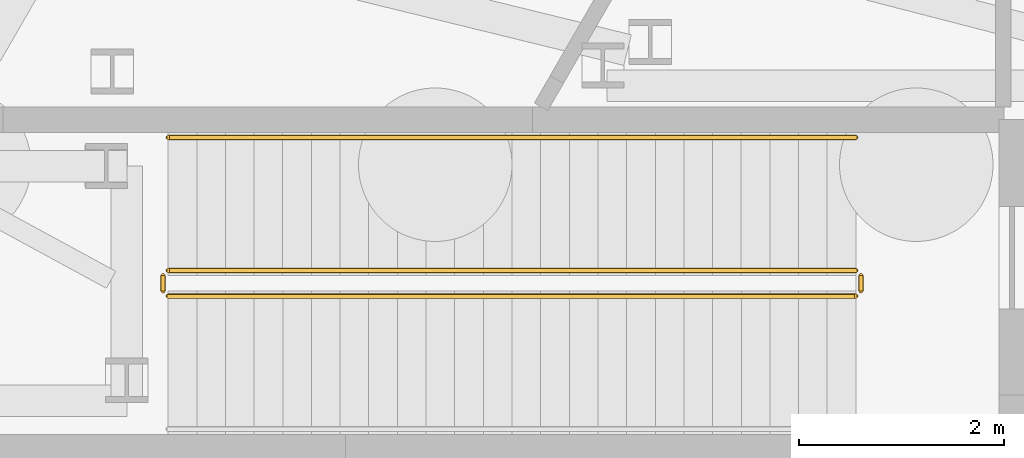
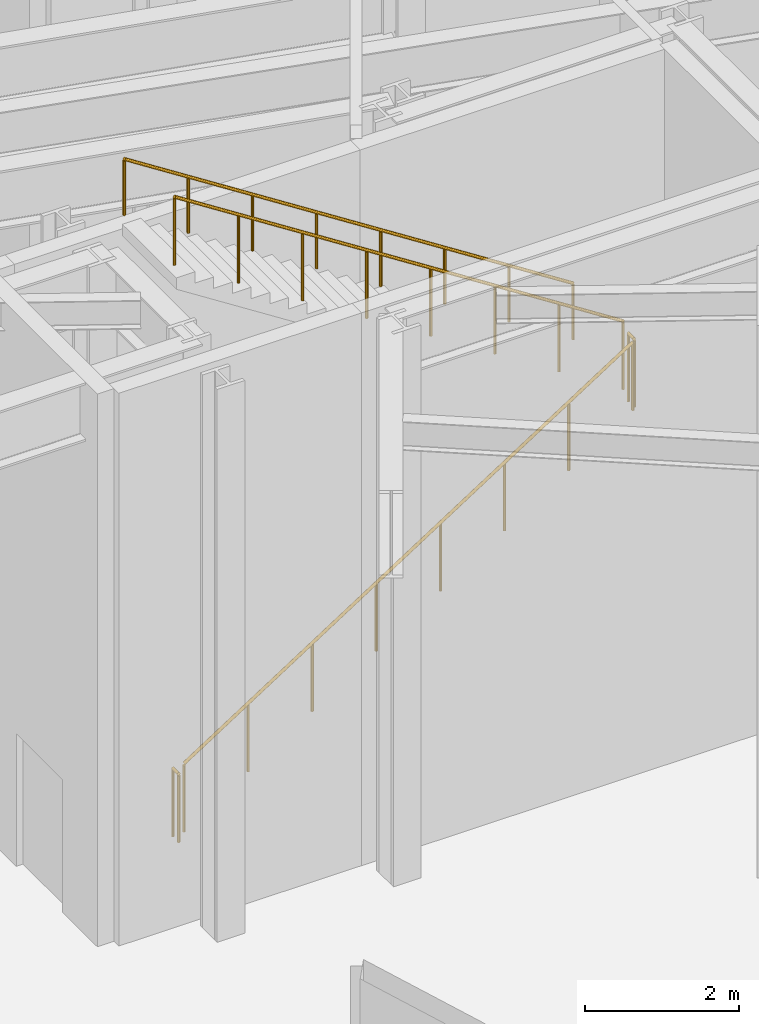
# One storey, part 33 of 43: 5 railings.
"""IFC4 building model written with IfcOpenShell, lengths in metres."""

from ifc_helpers import new_model, si_unit, direction, frame, origin, origin_2d, place, context, subcontext, project, spatial, circle, extrude, material, type_object, element, save


model = new_model("IFC4")

# Units and contexts
model_context = context("Model", 3, precision=1e-05, world=origin(), true_north=direction((0.0, 1.0)))
body_context = subcontext(model_context, "Body", "Model", "MODEL_VIEW")
ifc_project = project(units=[si_unit("LENGTHUNIT", "METRE"), si_unit("AREAUNIT", "SQUARE_METRE"), si_unit("VOLUMEUNIT", "CUBIC_METRE"), si_unit("PLANEANGLEUNIT", "RADIAN"), si_unit("MASSUNIT", "GRAM", prefix="KILO")], contexts=[model_context])

# Site, building, storey
site_placement = place(None, origin())
site = spatial("IfcSite", under=ifc_project, at=site_placement, CompositionType="ELEMENT")
building_placement = place(site_placement, origin())
building = spatial("IfcBuilding", under=site, at=building_placement, Name="Tarnside Tower", CompositionType="ELEMENT")
storey_placement = place(building_placement, origin())
storey = spatial("IfcBuildingStorey", under=building, at=storey_placement, Name="L00", CompositionType="ELEMENT", Elevation=0.0)

# Railings
ifc_material = material(Name="Stainless steel", Category="steel")
railing_type_1 = type_object("IfcRailingType", Name="Podium stair guard 1100", PredefinedType="GUARDRAIL", material=ifc_material)
railing_1_placement = place(storey_placement, frame((18.5400390625, -9.425048828125, 0.179931640625)))
element("IfcRailing", 1, at=railing_1_placement, inside=storey, type_object=railing_type_1, Name="L00 PS5 stair guard 1", PredefinedType="GUARDRAIL", context=body_context, shape_type="SweptSolid", body=[
    extrude(circle(Radius=0.02392578125, at=origin_2d()), frame((0.0, 0.0, 1.076171875), z_axis=(0.841173510664, 0.0, 0.540765314122), x_axis=(0.0, 1.0, 0.0)), (0.0, 0.0, 1.0), 7.98876953125),
    extrude(circle(Radius=0.02099609375, at=origin_2d()), origin(), (0.0, 0.0, 1.0), 1.052001953125),
    extrude(circle(Radius=0.02099609375, at=origin_2d()), frame((0.9599609375, 0.0, 0.6171875)), (0.0, 0.0, 1.0), 1.052001953125),
    extrude(circle(Radius=0.02099609375, at=origin_2d()), frame((1.919921875, 0.0, 1.234375)), (0.0, 0.0, 1.0), 1.052001953125),
    extrude(circle(Radius=0.02099609375, at=origin_2d()), frame((2.8798828125, 0.0, 1.8515625)), (0.0, 0.0, 1.0), 1.052001953125),
    extrude(circle(Radius=0.02099609375, at=origin_2d()), frame((3.840087890625, 0.0, 2.468505859375)), (0.0, 0.0, 1.0), 1.052001953125),
    extrude(circle(Radius=0.02099609375, at=origin_2d()), frame((4.800048828125, 0.0, 3.085693359375)), (0.0, 0.0, 1.0), 1.052001953125),
    extrude(circle(Radius=0.02099609375, at=origin_2d()), frame((5.760009765625, 0.0, 3.702880859375)), (0.0, 0.0, 1.0), 1.052001953125),
    extrude(circle(Radius=0.02099609375, at=origin_2d()), frame((6.719970703125, 0.0, 4.320068359375)), (0.0, 0.0, 1.0), 1.052001953125),
])
railing_2_placement = place(storey_placement, frame((25.31005859375, -9.375, 4.5)))
element("IfcRailing", 2, at=railing_2_placement, inside=storey, type_object=railing_type_1, Name="L00 PS5 stair guard 2", PredefinedType="GUARDRAIL", context=body_context, shape_type="SweptSolid", body=[
    extrude(circle(Radius=0.02392578125, at=origin_2d()), frame((0.0, 0.0, 1.076171875), z_axis=(0.0, 1.0, 0.0), x_axis=(-1.0, 0.0, 0.0)), (0.0, 0.0, 1.0), 0.14990234375),
    extrude(circle(Radius=0.02099609375, at=origin_2d()), origin(), (0.0, 0.0, 1.0), 1.052001953125),
    extrude(circle(Radius=0.02099609375, at=origin_2d()), frame((0.0, 0.14990234375, 0.0)), (0.0, 0.0, 1.0), 1.052001953125),
])
railing_3_placement = place(storey_placement, frame((25.260009765625, -9.175048828125, 4.679931640625)))
element("IfcRailing", 3, at=railing_3_placement, inside=storey, type_object=railing_type_1, Name="L00 PS5 stair guard 3", PredefinedType="GUARDRAIL", context=body_context, shape_type="SweptSolid", body=[
    extrude(circle(Radius=0.02392578125, at=origin_2d()), frame((0.0, 0.0, 1.076171875), z_axis=(-0.841173510664, 0.0, 0.540765314122), x_axis=(0.0, -1.0, 0.0)), (0.0, 0.0, 1.0), 7.98876953125),
    extrude(circle(Radius=0.02099609375, at=origin_2d()), origin(), (0.0, 0.0, 1.0), 1.052001953125),
    extrude(circle(Radius=0.02099609375, at=origin_2d()), frame((-0.9599609375, 0.0, 0.6171875)), (0.0, 0.0, 1.0), 1.052001953125),
    extrude(circle(Radius=0.02099609375, at=origin_2d()), frame((-1.919921875, 0.0, 1.234375)), (0.0, 0.0, 1.0), 1.052001953125),
    extrude(circle(Radius=0.02099609375, at=origin_2d()), frame((-2.8798828125, 0.0, 1.8515625)), (0.0, 0.0, 1.0), 1.052001953125),
    extrude(circle(Radius=0.02099609375, at=origin_2d()), frame((-3.840087890625, 0.0, 2.468505859375)), (0.0, 0.0, 1.0), 1.052001953125),
    extrude(circle(Radius=0.02099609375, at=origin_2d()), frame((-4.800048828125, 0.0, 3.085693359375)), (0.0, 0.0, 1.0), 1.052001953125),
    extrude(circle(Radius=0.02099609375, at=origin_2d()), frame((-5.760009765625, 0.0, 3.702880859375)), (0.0, 0.0, 1.0), 1.052001953125),
    extrude(circle(Radius=0.02099609375, at=origin_2d()), frame((-6.719970703125, 0.0, 4.320068359375)), (0.0, 0.0, 1.0), 1.052001953125),
])
railing_4_placement = place(storey_placement, frame((18.489990234375, -9.375, 0.0)))
element("IfcRailing", 4, at=railing_4_placement, inside=storey, type_object=railing_type_1, Name="L00 PS5 stair guard 4", PredefinedType="GUARDRAIL", context=body_context, shape_type="SweptSolid", body=[
    extrude(circle(Radius=0.02392578125, at=origin_2d()), frame((0.0, 0.0, 1.076171875), z_axis=(0.0, 1.0, 0.0), x_axis=(-1.0, 0.0, 0.0)), (0.0, 0.0, 1.0), 0.14990234375),
    extrude(circle(Radius=0.02099609375, at=origin_2d()), origin(), (0.0, 0.0, 1.0), 1.052001953125),
    extrude(circle(Radius=0.02099609375, at=origin_2d()), frame((0.0, 0.14990234375, 0.0)), (0.0, 0.0, 1.0), 1.052001953125),
])
railing_type_2 = type_object("IfcRailingType", Name="Podium stair handrail 900", PredefinedType="HANDRAIL", material=ifc_material)
railing_5_placement = place(storey_placement, frame((25.260009765625, -7.875, 4.679931640625)))
element("IfcRailing", 5, at=railing_5_placement, inside=storey, type_object=railing_type_2, Name="L00 PS5 stair handrail 2", PredefinedType="HANDRAIL", context=body_context, shape_type="SweptSolid", body=[
    extrude(circle(Radius=0.02392578125, at=origin_2d()), frame((0.0, 0.0, 0.8857421875), z_axis=(-0.841173510664, 0.0, 0.540765314122), x_axis=(0.0, -1.0, 0.0)), (0.0, 0.0, 1.0), 7.98876953125),
    extrude(circle(Radius=0.02099609375, at=origin_2d()), origin(), (0.0, 0.0, 1.0), 0.86181640625),
    extrude(circle(Radius=0.02099609375, at=origin_2d()), frame((-0.9599609375, 0.0, 0.6171875)), (0.0, 0.0, 1.0), 0.86181640625),
    extrude(circle(Radius=0.02099609375, at=origin_2d()), frame((-1.919921875, 0.0, 1.234375)), (0.0, 0.0, 1.0), 0.86181640625),
    extrude(circle(Radius=0.02099609375, at=origin_2d()), frame((-2.8798828125, 0.0, 1.8515625)), (0.0, 0.0, 1.0), 0.86181640625),
    extrude(circle(Radius=0.02099609375, at=origin_2d()), frame((-3.840087890625, 0.0, 2.468505859375)), (0.0, 0.0, 1.0), 0.86181640625),
    extrude(circle(Radius=0.02099609375, at=origin_2d()), frame((-4.800048828125, 0.0, 3.085693359375)), (0.0, 0.0, 1.0), 0.86181640625),
    extrude(circle(Radius=0.02099609375, at=origin_2d()), frame((-5.760009765625, 0.0, 3.702880859375)), (0.0, 0.0, 1.0), 0.86181640625),
    extrude(circle(Radius=0.02099609375, at=origin_2d()), frame((-6.719970703125, 0.0, 4.320068359375)), (0.0, 0.0, 1.0), 0.86181640625),
])

save(model, "model.ifc")
